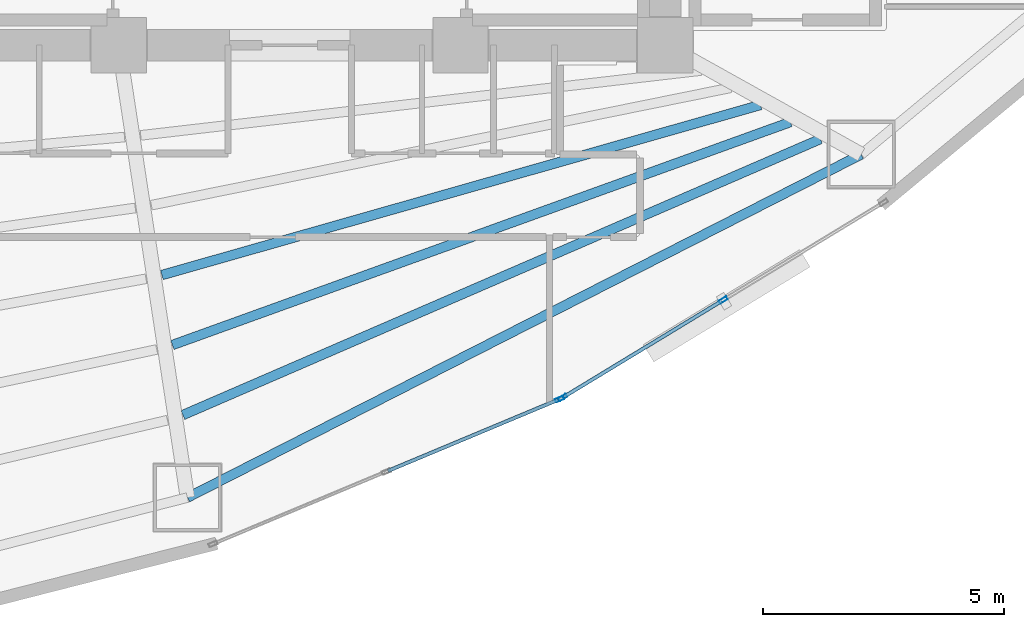
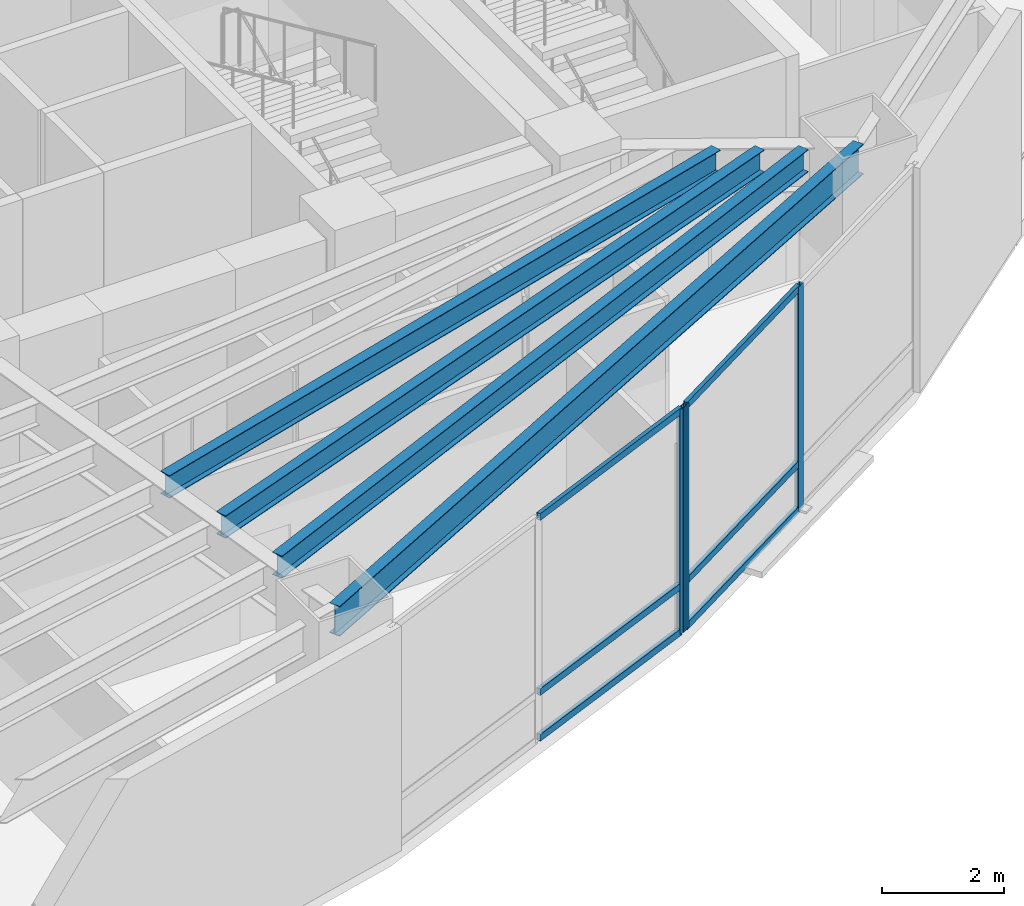
# One storey, part 5 of 18: 9 members, 4 beams, 2 elements without a shape of their own.
"""IFC4 building model written with IfcOpenShell, lengths in metres."""

from ifc_helpers import new_model, si_unit, direction, frame, origin, origin_2d, place, context, subcontext, project, spatial, hollow_rectangle, i_section, extrude, material, layer, layer_set, material_profile, profile_set, type_object, element, aggregate, save


model = new_model("IFC4")

# Units and contexts
model_context = context("Model", 3, precision=1e-05, world=origin(), true_north=direction((0.0, 1.0)))
body_context = subcontext(model_context, "Body", "Model", "MODEL_VIEW")
ifc_project = project(units=[si_unit("LENGTHUNIT", "METRE"), si_unit("AREAUNIT", "SQUARE_METRE"), si_unit("VOLUMEUNIT", "CUBIC_METRE"), si_unit("PLANEANGLEUNIT", "RADIAN"), si_unit("MASSUNIT", "GRAM", prefix="KILO")], contexts=[model_context])

# Site, building, storey
site_placement = place(None, origin())
site = spatial("IfcSite", under=ifc_project, at=site_placement, CompositionType="ELEMENT")
building_placement = place(site_placement, origin())
building = spatial("IfcBuilding", under=site, at=building_placement, Name="Menara Vayukalpa", CompositionType="ELEMENT")
storey_placement = place(building_placement, frame((0.0, 0.0, 18.0)))
storey = spatial("IfcBuildingStorey", under=building, at=storey_placement, Name="L03", CompositionType="ELEMENT", Elevation=18.0)

# Beams
ifc_material_1 = material(Name="Steel S355", Category="steel")
ifc_material_profile_1 = material_profile(ifc_material_1, i_section(OverallWidth=0.199951171875, OverallDepth=0.449951171875, WebThickness=0.009033203125, FlangeThickness=0.013916015625, at=origin_2d()), Name="WF 450x200x9x14")
ifc_profile_set_1 = profile_set([ifc_material_profile_1], Name="Steel S355")
beam_type_1 = type_object("IfcBeamType", Name="BM-SJ1", PredefinedType="JOIST", material=ifc_profile_set_1)
beam_1_placement = place(storey_placement, frame((22.945068359375, 12.423095703125, 4.2548828125), z_axis=(0.961920522013, 0.273329305656, 0.0), x_axis=(-0.273329305656, 0.961920522013, 0.0)))
element("IfcBeam", 1, at=beam_1_placement, inside=storey, type_object=beam_type_1, Name="L03 Secondary Floor Joist SJ08-3", PredefinedType="JOIST", context=body_context, shape_type="SweptSolid", body=[
    extrude(i_section(OverallWidth=0.199951171875, OverallDepth=0.449951171875, WebThickness=0.009033203125, FlangeThickness=0.013916015625, at=origin_2d()), origin(), (0.0, 0.0, 1.0), 12.93017578125),
])
beam_2_placement = place(storey_placement, frame((23.16357421875, 10.9697265625, 4.2548828125), z_axis=(0.94065210614, 0.339372384284, 0.0), x_axis=(-0.339372384284, 0.94065210614, 0.0)))
element("IfcBeam", 2, at=beam_2_placement, inside=storey, type_object=beam_type_1, Name="L03 Secondary Floor Joist SJ08-4", PredefinedType="JOIST", context=body_context, shape_type="SweptSolid", body=[
    extrude(i_section(OverallWidth=0.199951171875, OverallDepth=0.449951171875, WebThickness=0.009033203125, FlangeThickness=0.013916015625, at=origin_2d()), origin(), (0.0, 0.0, 1.0), 13.649658203125),
])
beam_3_placement = place(storey_placement, frame((23.381591796875, 9.51513671875, 4.2548828125), z_axis=(0.91768786967, 0.397302119125, 0.0), x_axis=(-0.397302119125, 0.91768786967, 0.0)))
element("IfcBeam", 3, at=beam_3_placement, inside=storey, type_object=beam_type_1, Name="L03 Secondary Floor Joist SJ08-5", PredefinedType="JOIST", context=body_context, shape_type="SweptSolid", body=[
    extrude(i_section(OverallWidth=0.199951171875, OverallDepth=0.449951171875, WebThickness=0.009033203125, FlangeThickness=0.013916015625, at=origin_2d()), origin(), (0.0, 0.0, 1.0), 14.43017578125),
])
ifc_material_2 = material(Name="Steel S355", Category="steel")
ifc_material_profile_2 = material_profile(ifc_material_2, i_section(OverallWidth=0.199951171875, OverallDepth=0.60009765625, WebThickness=0.010986328125, FlangeThickness=0.01708984375, at=origin_2d()), Name="WF 600x200x11x17")
ifc_profile_set_2 = profile_set([ifc_material_profile_2], Name="Steel S355")
beam_type_2 = type_object("IfcBeamType", Name="BM-SP1", PredefinedType="SPANDREL", material=ifc_profile_set_2)
beam_4_placement = place(storey_placement, frame((23.4755859375, 7.80029296875, 4.179931640625), z_axis=(0.891101872915, 0.453803318726, 0.0), x_axis=(-0.453803318726, 0.891101872915, 0.0)))
element("IfcBeam", 4, at=beam_4_placement, inside=storey, type_object=beam_type_2, Name="L03 Perimeter Spandrel Beam SP08", PredefinedType="SPANDREL", context=body_context, shape_type="SweptSolid", body=[
    extrude(i_section(OverallWidth=0.199951171875, OverallDepth=0.60009765625, WebThickness=0.010986328125, FlangeThickness=0.01708984375, at=origin_2d()), origin(), (0.0, 0.0, 1.0), 15.709228515625),
])

# Curtain wall, member
ifc_material_3 = material(Name="Anodised Terracotta Aluminium Alloy 6063-T6", Category="masonry")
ifc_layer = layer(ifc_material_3, 0.179931640625)
ifc_layer_set = layer_set([ifc_layer], Name="Anodised Terracotta Aluminium Alloy 6063-T6")
curtain_wall_type = type_object("IfcCurtainWallType", Name="CW-CW1", PredefinedType="USERDEFINED", material=ifc_layer_set)
curtain_wall_1_placement = place(storey_placement, origin())
curtain_wall_1 = element("IfcCurtainWall", 5, at=curtain_wall_1_placement, inside=storey, type_object=curtain_wall_type, Name="L03 Podium Unitised Ribbon Curtain Wall CW1 16", ObjectType="UNITISED", PredefinedType="USERDEFINED")
ifc_material_4 = material(Name="Anodised Terracotta Aluminium Alloy 6063-T6", Category="masonry")
ifc_material_profile_3 = material_profile(ifc_material_4, hollow_rectangle(XDim=0.074951171875, YDim=0.179931640625, WallThickness=0.00390625, at=origin_2d()), Name="ALU 75x180x4")
ifc_profile_set_3 = profile_set([ifc_material_profile_3], Name="Anodised Terracotta Aluminium Alloy 6063-T6")
member_type_1 = type_object("IfcMemberType", Name="CWM-CW1", PredefinedType="MULLION", material=ifc_profile_set_3)
member_1_placement = place(storey_placement, frame((31.206787109375, 9.844970703125, 0.0), z_axis=(0.0, 0.0, 1.0), x_axis=(-0.385890613077, 0.922544543499, 0.0)))
member_1 = element("IfcMember", 6, at=member_1_placement, type_object=member_type_1, Name="CW1 mullion 3", PredefinedType="MULLION", context=body_context, shape_type="SweptSolid", body=[
    extrude(hollow_rectangle(XDim=0.074951171875, YDim=0.179931640625, WallThickness=0.00390625, at=origin_2d()), origin(), (0.0, 0.0, 1.0), 4.47998046875),
])

# Curtain wall, members
curtain_wall_2_placement = place(storey_placement, origin())
curtain_wall_2 = element("IfcCurtainWall", 7, at=curtain_wall_2_placement, inside=storey, type_object=curtain_wall_type, Name="L03 Podium Unitised Ribbon Curtain Wall CW1 17", ObjectType="UNITISED", PredefinedType="USERDEFINED")
member_2_placement = place(storey_placement, frame((31.2734375, 9.87890625, 0.0), z_axis=(0.0, 0.0, 1.0), x_axis=(-0.519179879231, 0.854664994604, 0.0)))
member_2 = element("IfcMember", 8, at=member_2_placement, type_object=member_type_1, Name="CW1 mullion 1", PredefinedType="MULLION", context=body_context, shape_type="SweptSolid", body=[
    extrude(hollow_rectangle(XDim=0.074951171875, YDim=0.179931640625, WallThickness=0.00390625, at=origin_2d()), origin(), (0.0, 0.0, 1.0), 4.47998046875),
])
member_3_placement = place(storey_placement, frame((34.607177734375, 11.904296875, 0.0), z_axis=(0.0, 0.0, 1.0), x_axis=(-0.519179879231, 0.854664994604, 0.0)))
member_3 = element("IfcMember", 9, at=member_3_placement, type_object=member_type_1, Name="CW1 mullion 2", PredefinedType="MULLION", context=body_context, shape_type="SweptSolid", body=[
    extrude(hollow_rectangle(XDim=0.074951171875, YDim=0.179931640625, WallThickness=0.00390625, at=origin_2d()), origin(), (0.0, 0.0, 1.0), 4.47998046875),
])

# Member
ifc_material_5 = material(Name="Anodised Terracotta Aluminium Alloy 6063-T6", Category="masonry")
ifc_material_profile_4 = material_profile(ifc_material_5, hollow_rectangle(XDim=0.074951171875, YDim=0.135009765625, WallThickness=0.00390625, at=origin_2d()), Name="ALU 75x135x4")
ifc_profile_set_4 = profile_set([ifc_material_profile_4], Name="Anodised Terracotta Aluminium Alloy 6063-T6")
member_type_2 = type_object("IfcMemberType", Name="CWT-CW1", PredefinedType="USERDEFINED", material=ifc_profile_set_4)
member_4_placement = place(storey_placement, frame((27.642578125, 8.354248046875, 0.03759765625), z_axis=(0.922549314237, 0.385879207525, 0.0), x_axis=(-0.385879207525, 0.922549314237, 0.0)))
member_4 = element("IfcMember", 10, at=member_4_placement, type_object=member_type_2, Name="CW1 transom 2.1", ObjectType="TRANSOM", PredefinedType="USERDEFINED", context=body_context, shape_type="SweptSolid", body=[
    extrude(hollow_rectangle(XDim=0.074951171875, YDim=0.135009765625, WallThickness=0.00390625, at=origin_2d()), origin(), (0.0, 0.0, 1.0), 3.825927734375),
])

member_5_placement = place(storey_placement, frame((27.642578125, 8.354248046875, 0.949951171875), z_axis=(0.922549314237, 0.385879207525, 0.0), x_axis=(-0.385879207525, 0.922549314237, 0.0)))
member_5 = element("IfcMember", 11, at=member_5_placement, type_object=member_type_2, Name="CW1 transom 2.2", ObjectType="TRANSOM", PredefinedType="USERDEFINED", context=body_context, shape_type="SweptSolid", body=[
    extrude(hollow_rectangle(XDim=0.074951171875, YDim=0.135009765625, WallThickness=0.00390625, at=origin_2d()), origin(), (0.0, 0.0, 1.0), 3.825927734375),
])

member_6_placement = place(storey_placement, frame((27.642578125, 8.354248046875, 4.4423828125), z_axis=(0.922549314237, 0.385879207525, 0.0), x_axis=(-0.385879207525, 0.922549314237, 0.0)))
member_6 = element("IfcMember", 12, at=member_6_placement, type_object=member_type_2, Name="CW1 transom 2.3", ObjectType="TRANSOM", PredefinedType="USERDEFINED", context=body_context, shape_type="SweptSolid", body=[
    extrude(hollow_rectangle(XDim=0.074951171875, YDim=0.135009765625, WallThickness=0.00390625, at=origin_2d()), origin(), (0.0, 0.0, 1.0), 3.825927734375),
])

aggregate(curtain_wall_1, [member_1, member_4, member_5, member_6])

member_7_placement = place(storey_placement, frame((31.305419921875, 9.8984375, 0.03759765625), z_axis=(0.85465908819, 0.519189602144, 0.0), x_axis=(-0.519189602144, 0.85465908819, 0.0)))
member_7 = element("IfcMember", 13, at=member_7_placement, type_object=member_type_2, Name="CW1 transom 1.1", ObjectType="TRANSOM", PredefinedType="USERDEFINED", context=body_context, shape_type="SweptSolid", body=[
    extrude(hollow_rectangle(XDim=0.074951171875, YDim=0.135009765625, WallThickness=0.00390625, at=origin_2d()), origin(), (0.0, 0.0, 1.0), 3.825927734375),
])

member_8_placement = place(storey_placement, frame((31.305419921875, 9.8984375, 0.949951171875), z_axis=(0.85465908819, 0.519189602144, 0.0), x_axis=(-0.519189602144, 0.85465908819, 0.0)))
member_8 = element("IfcMember", 14, at=member_8_placement, type_object=member_type_2, Name="CW1 transom 1.2", ObjectType="TRANSOM", PredefinedType="USERDEFINED", context=body_context, shape_type="SweptSolid", body=[
    extrude(hollow_rectangle(XDim=0.074951171875, YDim=0.135009765625, WallThickness=0.00390625, at=origin_2d()), origin(), (0.0, 0.0, 1.0), 3.825927734375),
])

member_9_placement = place(storey_placement, frame((31.305419921875, 9.8984375, 4.4423828125), z_axis=(0.85465908819, 0.519189602144, 0.0), x_axis=(-0.519189602144, 0.85465908819, 0.0)))
member_9 = element("IfcMember", 15, at=member_9_placement, type_object=member_type_2, Name="CW1 transom 1.3", ObjectType="TRANSOM", PredefinedType="USERDEFINED", context=body_context, shape_type="SweptSolid", body=[
    extrude(hollow_rectangle(XDim=0.074951171875, YDim=0.135009765625, WallThickness=0.00390625, at=origin_2d()), origin(), (0.0, 0.0, 1.0), 3.825927734375),
])

aggregate(curtain_wall_2, [member_2, member_3, member_7, member_8, member_9])

save(model, "model.ifc")
